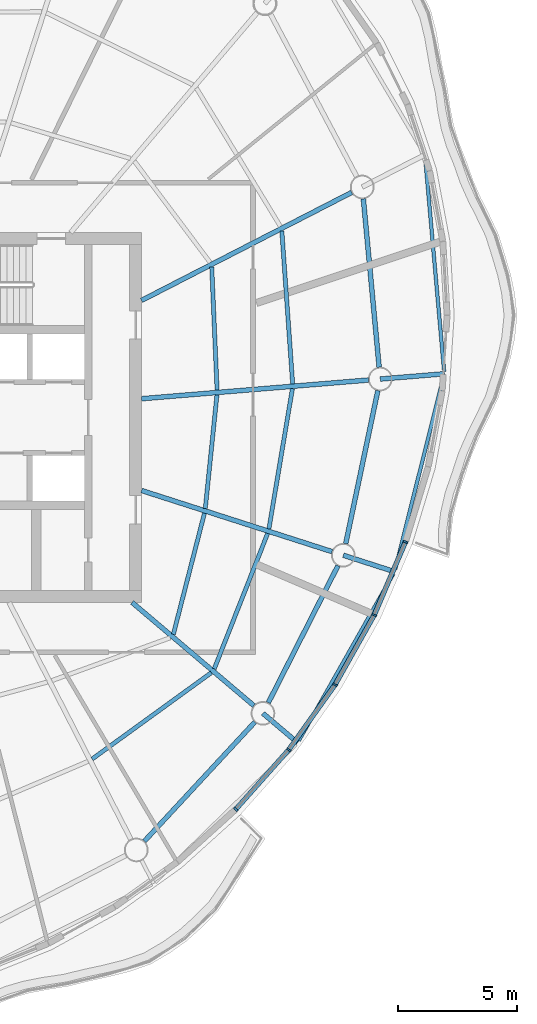
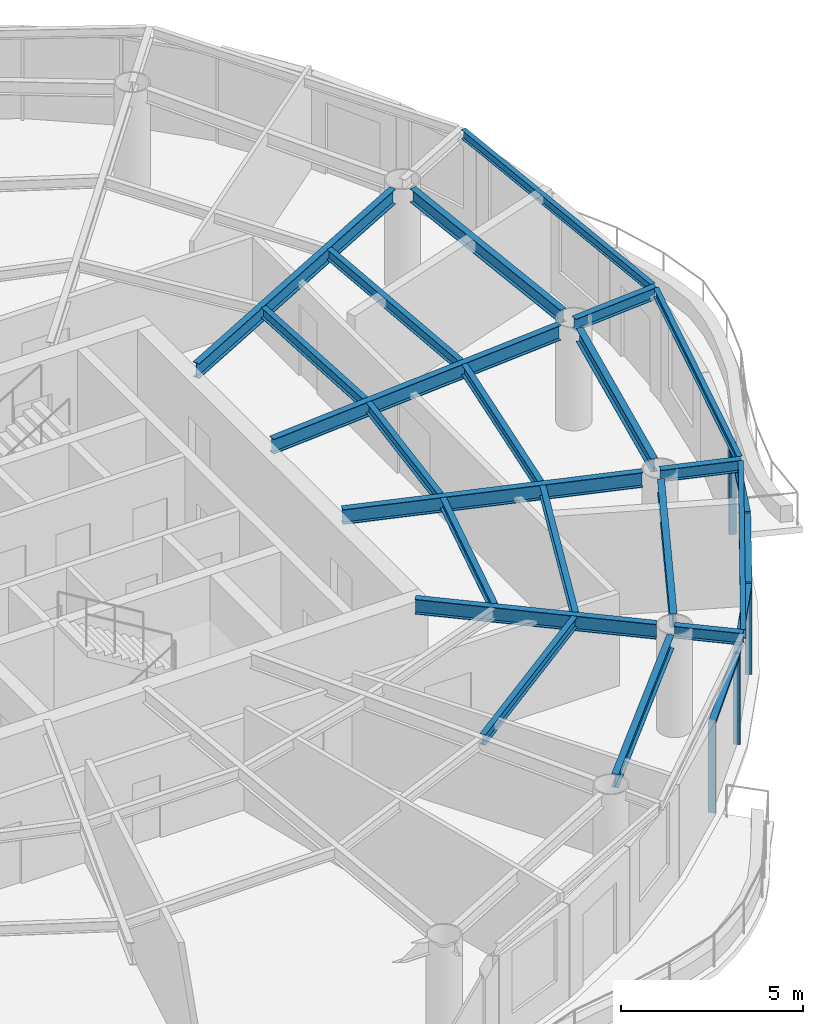
# One storey, part 4 of 14: 21 beams, 9 members, 4 elements without a shape of their own.
"""IFC4 building model written with IfcOpenShell, lengths in metres."""

import ifcopenshell
import ifcopenshell.guid

model = None  # the IFC model being written
_history = None  # IfcOwnerHistory: only IFC2X3 demands one
_inside = {}  # id of a spatial element -> (the spatial element, [elements in it])
_under = {}  # id of a project, library or spatial element -> (it, [spatial elements below it])
_declared = {}  # id of a project -> (the project, [libraries it declares])
_typed = {}  # id of a type object -> (the type object, [elements of that type])
_made_of = {}  # id of a material, layer set ... -> (it, [elements and type objects made of it])


def new_model(schema):
    """Start an empty IFC model of exactly this schema.

    Asked for "IFC4X3", IfcOpenShell would pick the latest addendum, in which some entities
    have other attributes; the version numbers below select the first issue.
    IFC2X3 requires an IfcOwnerHistory on every rooted entity: one is made here for all.
    """
    global model, _history
    if schema == "IFC4X3":
        model = ifcopenshell.file(schema_version=(4, 3, 0, 0))
    else:
        model = ifcopenshell.file(schema=schema)
    _inside.clear()
    _under.clear()
    _declared.clear()
    _typed.clear()
    _made_of.clear()
    _history = None
    if model.schema == "IFC2X3":
        org = make("IfcOrganization", Name="unknown")
        user = make(
            "IfcPersonAndOrganization",
            ThePerson=make("IfcPerson", FamilyName="unknown"),
            TheOrganization=org,
        )
        app = make(
            "IfcApplication",
            ApplicationDeveloper=org,
            Version="unknown",
            ApplicationFullName="unknown",
            ApplicationIdentifier="unknown",
        )
        _history = make(
            "IfcOwnerHistory",
            OwningUser=user,
            OwningApplication=app,
            ChangeAction="ADDED",
            CreationDate=0,
        )
    return model


def make(cls, **values):
    """One entity of the class cls with the attributes given. An attribute that is None is left unset."""
    return model.create_entity(
        cls, **{name: value for name, value in values.items() if value is not None}
    )


def rooted(cls, **values):
    """An entity with a GlobalId (a new one), such as an element, a storey or a relation."""
    return make(cls, GlobalId=ifcopenshell.guid.new(), OwnerHistory=_history, **values)


def si_unit(unit_type, name, prefix=None):
    """IfcSIUnit, for example si_unit("LENGTHUNIT", "METRE", prefix="MILLI")."""
    return make("IfcSIUnit", UnitType=unit_type, Prefix=prefix, Name=name)


def assignment(units):
    """IfcUnitAssignment: the units of a project."""
    return None if units is None else make("IfcUnitAssignment", Units=units)


def point(xyz):
    """IfcCartesianPoint."""
    return None if xyz is None else make("IfcCartesianPoint", Coordinates=xyz)


def direction(xyz):
    """IfcDirection."""
    return None if xyz is None else make("IfcDirection", DirectionRatios=xyz)


def frame(location, z_axis=None, x_axis=None):
    """IfcAxis2Placement3D, a coordinate frame: its origin and axes. An axis left out is left unset."""
    return make(
        "IfcAxis2Placement3D",
        Location=point(location),
        Axis=direction(z_axis),
        RefDirection=direction(x_axis),
    )


def frame_2d(location, x_axis=None):
    """IfcAxis2Placement2D, a coordinate frame in the plane: its origin and x axis."""
    return make(
        "IfcAxis2Placement2D", Location=point(location), RefDirection=direction(x_axis)
    )


def origin():
    """The frame at (0, 0, 0) with its axes left unset."""
    return frame((0.0, 0.0, 0.0))


def origin_2d():
    """The frame at (0, 0) in the plane with its x axis left unset."""
    return frame_2d((0.0, 0.0))


def place(relative_to, where):
    """IfcLocalPlacement: puts the frame where relative to a parent placement (None: the world)."""
    return make(
        "IfcLocalPlacement", PlacementRelTo=relative_to, RelativePlacement=where
    )


def context(
    kind, dimensions, precision=None, world=None, true_north=None, identifier=None
):
    """IfcGeometricRepresentationContext, for example the 3D "Model" context."""
    return make(
        "IfcGeometricRepresentationContext",
        ContextIdentifier=identifier,
        ContextType=kind,
        CoordinateSpaceDimension=dimensions,
        Precision=precision,
        WorldCoordinateSystem=world,
        TrueNorth=true_north,
    )


def subcontext(parent, identifier, kind, view, scale=None):
    """IfcGeometricRepresentationSubContext, for example "Body" below "Model"."""
    return make(
        "IfcGeometricRepresentationSubContext",
        ContextIdentifier=identifier,
        ContextType=kind,
        ParentContext=parent,
        TargetScale=scale,
        TargetView=view,
    )


def project(units=None, contexts=None):
    """IfcProject with its units and contexts."""
    return rooted(
        "IfcProject",
        Name="project",
        RepresentationContexts=contexts,
        UnitsInContext=assignment(units),
    )


def spatial(cls, under=None, at=None, **own):
    """A site, building, storey or space (cls), placed at a placement, below another one or the project."""
    s = rooted(cls, ObjectPlacement=at, **own)
    if under is not None:
        _under.setdefault(under.id(), (under, []))[1].append(s)
    return s


def profile(cls, at=None, kind="AREA", **sizes):
    """A parametric profile (cls). Its sizes go by their IFC names, for example OverallWidth=200.0."""
    return make(cls, ProfileType=kind, Position=at, **sizes)


def rectangle(**sizes):
    """IfcRectangleProfileDef."""
    return profile("IfcRectangleProfileDef", **sizes)


def i_section(**sizes):
    """IfcIShapeProfileDef."""
    return profile("IfcIShapeProfileDef", **sizes)


def extrude(swept, where, along, depth):
    """IfcExtrudedAreaSolid: the profile swept, set in the frame where, extruded along a direction by depth."""
    return make(
        "IfcExtrudedAreaSolid",
        SweptArea=swept,
        Position=where,
        ExtrudedDirection=direction(along),
        Depth=depth,
    )


def shape(context_of_items, identifier, shape_type, items):
    """IfcShapeRepresentation: the items that make up one representation, for example the "Body"."""
    return make(
        "IfcShapeRepresentation",
        ContextOfItems=context_of_items,
        RepresentationIdentifier=identifier,
        RepresentationType=shape_type,
        Items=items,
    )


def material(Name=None, Category=None):
    """IfcMaterial."""
    return make("IfcMaterial", Name=Name, Category=Category)


def material_profile(
    of_material, cross_section, Name=None, Category=None, Priority=None
):
    """IfcMaterialProfile: a cross section and its material."""
    return make(
        "IfcMaterialProfile",
        Name=Name,
        Material=of_material,
        Profile=cross_section,
        Priority=Priority,
        Category=Category,
    )


def profile_set(profiles, Name=None, composite=None):
    """IfcMaterialProfileSet."""
    return make(
        "IfcMaterialProfileSet",
        Name=Name,
        MaterialProfiles=profiles,
        CompositeProfile=composite,
    )


def made_of(thing, what):
    """Note that an element or type object is made of a material, layer set ...; save() writes the relation."""
    if what is not None:
        _made_of.setdefault(what.id(), (what, []))[1].append(thing)
    return thing


def type_object(cls, material=None, **own):
    """A type object (cls), such as IfcWallType, which elements share."""
    return made_of(rooted(cls, **own), material)


def element(
    cls,
    number,
    at=None,
    inside=None,
    cuts=None,
    type_object=None,
    material=None,
    context=None,
    identifier="Body",
    shape_type=None,
    held_by="IfcProductDefinitionShape",
    body=None,
    shapes=None,
    **own,
):
    """One element of the class cls, such as IfcWall. Its Tag is "e" and its number.

    at: its placement. inside: the storey or other place that contains it. cuts: it is an
    opening in that element (IfcRelVoidsElement). A single representation is given by context,
    identifier, shape_type and body (its items); several are given by shapes. held_by: the class
    of the entity that holds the representations. save() writes the other relations.
    """
    e = rooted(cls, Tag="e%d" % number, ObjectPlacement=at, **own)
    if body is not None:
        shapes = [shape(context, identifier, shape_type, body)]
    if shapes is not None:
        e.Representation = make(held_by, Representations=shapes)
    if inside is not None:
        _inside.setdefault(inside.id(), (inside, []))[1].append(e)
    if cuts is not None:
        rooted(
            "IfcRelVoidsElement", RelatingBuildingElement=cuts, RelatedOpeningElement=e
        )
    if type_object is not None:
        _typed.setdefault(type_object.id(), (type_object, []))[1].append(e)
    return made_of(e, material)


def aggregate(whole, parts):
    """IfcRelAggregates: a whole, such as a stair, and the parts it consists of."""
    return rooted("IfcRelAggregates", RelatingObject=whole, RelatedObjects=parts)


def save(model, path):
    """Write the relations noted so far, then the file.

    IfcRelAggregates (storeys below a building ...), IfcRelContainedInSpatialStructure (elements
    in a storey), IfcRelDefinesByType, IfcRelAssociatesMaterial and IfcRelDeclares: one each for
    every whole, place, type object, material and project.
    """
    for whole, parts in _under.values():
        aggregate(whole, parts)
    for where, things in _inside.values():
        rooted(
            "IfcRelContainedInSpatialStructure",
            RelatedElements=things,
            RelatingStructure=where,
        )
    for kind, things in _typed.values():
        rooted("IfcRelDefinesByType", RelatedObjects=things, RelatingType=kind)
    for what, things in _made_of.values():
        rooted("IfcRelAssociatesMaterial", RelatedObjects=things, RelatingMaterial=what)
    for by, libraries in _declared.values():
        rooted("IfcRelDeclares", RelatingContext=by, RelatedDefinitions=libraries)
    model.write(path)


model = new_model("IFC4")

# Units and contexts
model_context = context("Model", 3, precision=1e-05, world=origin(), true_north=direction((0.0, 1.0)))
body_context = subcontext(model_context, "Body", "Model", "MODEL_VIEW")
ifc_project = project(units=[si_unit("LENGTHUNIT", "METRE"), si_unit("AREAUNIT", "SQUARE_METRE"), si_unit("VOLUMEUNIT", "CUBIC_METRE"), si_unit("PLANEANGLEUNIT", "RADIAN"), si_unit("MASSUNIT", "GRAM", prefix="KILO")], contexts=[model_context])

# Site, building, storey
site_placement = place(None, origin())
site = spatial("IfcSite", under=ifc_project, at=site_placement, CompositionType="ELEMENT")
building_placement = place(site_placement, origin())
building = spatial("IfcBuilding", under=site, at=building_placement, Name="Vermilion Reach Broadcast Tower", CompositionType="ELEMENT")
storey_placement = place(building_placement, frame((0.0, 0.0, 264.89990234375)))
storey = spatial("IfcBuildingStorey", under=building, at=storey_placement, Name="L65", CompositionType="ELEMENT", Elevation=264.89990234375)

# Beams
ifc_material_1 = material(Name="Steel S355J2", Category="steel")
ifc_material_profile_1 = material_profile(ifc_material_1, i_section(OverallWidth=0.14990234375, OverallDepth=0.300048828125, WebThickness=0.006591796875, FlangeThickness=0.009033203125, at=origin_2d()), Name="S355J2 HN 300x150x6.5x9")
ifc_profile_set_1 = profile_set([ifc_material_profile_1], Name="Steel S355J2")
beam_type_1 = type_object("IfcBeamType", Name="EB5 HN 300x150x6.5x9", PredefinedType="BEAM", material=ifc_profile_set_1)
beam_1_placement = place(storey_placement, frame((10.2314453125, -13.62939453125, 3.300048828125), z_axis=(0.49302475796, 0.870015280348, 0.0), x_axis=(-0.870015280348, 0.49302475796, 0.0)))
element("IfcBeam", 1, at=beam_1_placement, inside=storey, type_object=beam_type_1, Name="Edge beam EB5-12", PredefinedType="BEAM", context=body_context, shape_type="SweptSolid", body=[
    extrude(i_section(OverallWidth=0.14990234375, OverallDepth=0.300048828125, WebThickness=0.006591796875, FlangeThickness=0.009033203125, at=origin_2d()), origin(), (0.0, 0.0, 1.0), 8.087890625),
])
beam_2_placement = place(storey_placement, frame((14.293701171875, -6.40673828125, 3.300048828125), z_axis=(0.243855135103, 0.969811668874, 0.0), x_axis=(-0.969811668874, 0.243855135103, 0.0)))
element("IfcBeam", 2, at=beam_2_placement, inside=storey, type_object=beam_type_1, Name="Edge beam EB5-13", PredefinedType="BEAM", context=body_context, shape_type="SweptSolid", body=[
    extrude(i_section(OverallWidth=0.14990234375, OverallDepth=0.300048828125, WebThickness=0.006591796875, FlangeThickness=0.009033203125, at=origin_2d()), origin(), (0.0, 0.0, 1.0), 8.40087890625),
])
beam_3_placement = place(storey_placement, frame((16.359375, 1.942626953125, 3.300048828125), z_axis=(-0.088284450679, 0.996095304561, 0.0), x_axis=(-0.996095304561, -0.088284450679, 0.0)))
element("IfcBeam", 3, at=beam_3_placement, inside=storey, type_object=beam_type_1, Name="Edge beam EB5-14", PredefinedType="BEAM", context=body_context, shape_type="SweptSolid", body=[
    extrude(i_section(OverallWidth=0.14990234375, OverallDepth=0.300048828125, WebThickness=0.006591796875, FlangeThickness=0.009033203125, at=origin_2d()), origin(), (0.0, 0.0, 1.0), 9.06494140625),
])
ifc_material_2 = material(Name="Steel S355J2", Category="steel")
ifc_material_profile_2 = material_profile(ifc_material_2, i_section(OverallWidth=0.199951171875, OverallDepth=0.5, WebThickness=0.010009765625, FlangeThickness=0.01611328125, at=origin_2d()), Name="S355J2 HN 500x200x10x16")
ifc_profile_set_2 = profile_set([ifc_material_profile_2], Name="Steel S355J2")
beam_type_2 = type_object("IfcBeamType", Name="G5 HN 500x200x10x16", PredefinedType="BEAM", material=ifc_profile_set_2)
beam_4_placement = place(storey_placement, frame((3.20068359375, -7.800048828125, 3.2001953125), z_axis=(0.762793125612, -0.646642596431, 0.0), x_axis=(0.646642596431, 0.762793125612, 0.0)))
element("IfcBeam", 4, at=beam_4_placement, inside=storey, type_object=beam_type_2, Name="Girder G5-12", PredefinedType="BEAM", context=body_context, shape_type="SweptSolid", body=[
    extrude(i_section(OverallWidth=0.199951171875, OverallDepth=0.5, WebThickness=0.010009765625, FlangeThickness=0.01611328125, at=origin_2d()), origin(), (0.0, 0.0, 1.0), 6.732421875),
])
beam_5_placement = place(storey_placement, frame((3.60009765625, -3.080322265625, 3.2001953125), z_axis=(0.952178453449, -0.305542456604, 0.0), x_axis=(0.305542456604, 0.952178453449, 0.0)))
element("IfcBeam", 5, at=beam_5_placement, inside=storey, type_object=beam_type_2, Name="Girder G5-13", PredefinedType="BEAM", context=body_context, shape_type="SweptSolid", body=[
    extrude(i_section(OverallWidth=0.199951171875, OverallDepth=0.5, WebThickness=0.010009765625, FlangeThickness=0.01611328125, at=origin_2d()), origin(), (0.0, 0.0, 1.0), 8.43310546875),
])
beam_6_placement = place(storey_placement, frame((3.60009765625, 0.791015625, 3.2001953125), z_axis=(0.996624410075, 0.082096195058, 0.0), x_axis=(-0.082096195058, 0.996624410075, 0.0)))
element("IfcBeam", 6, at=beam_6_placement, inside=storey, type_object=beam_type_2, Name="Girder G5-14", PredefinedType="BEAM", context=body_context, shape_type="SweptSolid", body=[
    extrude(i_section(OverallWidth=0.199951171875, OverallDepth=0.5, WebThickness=0.010009765625, FlangeThickness=0.01611328125, at=origin_2d()), origin(), (0.0, 0.0, 1.0), 9.599609375),
])
beam_7_placement = place(storey_placement, frame((3.60009765625, 4.935791015625, 3.2001953125), z_axis=(0.889332502449, 0.457261085254, 0.0), x_axis=(-0.457261085254, 0.889332502449, 0.0)))
element("IfcBeam", 7, at=beam_7_placement, inside=storey, type_object=beam_type_2, Name="Girder G5-15", PredefinedType="BEAM", context=body_context, shape_type="SweptSolid", body=[
    extrude(i_section(OverallWidth=0.199951171875, OverallDepth=0.5, WebThickness=0.010009765625, FlangeThickness=0.01611328125, at=origin_2d()), origin(), (0.0, 0.0, 1.0), 9.96337890625),
])
ifc_material_3 = material(Name="Steel S355J2", Category="steel")
ifc_material_profile_3 = material_profile(ifc_material_3, i_section(OverallWidth=0.199951171875, OverallDepth=0.39990234375, WebThickness=0.008056640625, FlangeThickness=0.012939453125, at=origin_2d()), Name="S355J2 HN 400x200x8x13")
ifc_profile_set_3 = profile_set([ifc_material_profile_3], Name="Steel S355J2")
beam_type_3 = type_object("IfcBeamType", Name="GC5 HN 400x200x8x13", PredefinedType="BEAM", material=ifc_profile_set_3)
beam_8_placement = place(storey_placement, frame((8.717529296875, -12.476806640625, 3.25), z_axis=(0.762739227349, -0.646706170578, 0.0), x_axis=(0.646706170578, 0.762739227349, 0.0)))
element("IfcBeam", 8, at=beam_8_placement, inside=storey, type_object=beam_type_3, Name="Cantilever girder GC5-12", PredefinedType="BEAM", context=body_context, shape_type="SweptSolid", body=[
    extrude(i_section(OverallWidth=0.199951171875, OverallDepth=0.39990234375, WebThickness=0.008056640625, FlangeThickness=0.012939453125, at=origin_2d()), origin(), (0.0, 0.0, 1.0), 1.9189453125),
])
beam_9_placement = place(storey_placement, frame((12.10595703125, -5.809814453125, 3.25), z_axis=(0.952190547284, -0.305504765368, 0.0), x_axis=(0.305504765368, 0.952190547284, 0.0)))
element("IfcBeam", 9, at=beam_9_placement, inside=storey, type_object=beam_type_3, Name="Cantilever girder GC5-13", PredefinedType="BEAM", context=body_context, shape_type="SweptSolid", body=[
    extrude(i_section(OverallWidth=0.199951171875, OverallDepth=0.39990234375, WebThickness=0.008056640625, FlangeThickness=0.012939453125, at=origin_2d()), origin(), (0.0, 0.0, 1.0), 2.27197265625),
])
beam_10_placement = place(storey_placement, frame((13.665771484375, 1.620361328125, 3.25), z_axis=(0.996622941337, 0.082114023173, 0.0), x_axis=(-0.082114023173, 0.996622941337, 0.0)))
element("IfcBeam", 10, at=beam_10_placement, inside=storey, type_object=beam_type_3, Name="Cantilever girder GC5-14", PredefinedType="BEAM", context=body_context, shape_type="SweptSolid", body=[
    extrude(i_section(OverallWidth=0.199951171875, OverallDepth=0.39990234375, WebThickness=0.008056640625, FlangeThickness=0.012939453125, at=origin_2d()), origin(), (0.0, 0.0, 1.0), 2.711669921875),
])
ifc_material_4 = material(Name="Steel S355J2", Category="steel")
ifc_material_profile_4 = material_profile(ifc_material_4, i_section(OverallWidth=0.199951171875, OverallDepth=0.449951171875, WebThickness=0.009033203125, FlangeThickness=0.013916015625, at=origin_2d()), Name="S355J2 HN 450x200x9x14")
ifc_profile_set_4 = profile_set([ifc_material_profile_4], Name="Steel S355J2")
beam_type_4 = type_object("IfcBeamType", Name="RB5 HN 450x200x9x14", PredefinedType="BEAM", material=ifc_profile_set_4)
beam_11_placement = place(storey_placement, frame((3.716796875, -17.87109375, 3.22509765625), z_axis=(0.679837550075, 0.733362738014, 0.0), x_axis=(-0.733362738014, 0.679837550075, 0.0)))
element("IfcBeam", 11, at=beam_11_placement, inside=storey, type_object=beam_type_4, Name="Ring beam RB5-11", PredefinedType="BEAM", context=body_context, shape_type="SweptSolid", body=[
    extrude(i_section(OverallWidth=0.199951171875, OverallDepth=0.449951171875, WebThickness=0.009033203125, FlangeThickness=0.013916015625, at=origin_2d()), origin(), (0.0, 0.0, 1.0), 6.85546875),
])
beam_12_placement = place(storey_placement, frame((8.944091796875, -12.03125, 3.22509765625), z_axis=(0.453052302855, 0.891483937532, 0.0), x_axis=(-0.891483937532, 0.453052302855, 0.0)))
element("IfcBeam", 12, at=beam_12_placement, inside=storey, type_object=beam_type_4, Name="Ring beam RB5-12", PredefinedType="BEAM", context=body_context, shape_type="SweptSolid", body=[
    extrude(i_section(OverallWidth=0.199951171875, OverallDepth=0.449951171875, WebThickness=0.009033203125, FlangeThickness=0.013916015625, at=origin_2d()), origin(), (0.0, 0.0, 1.0), 6.47900390625),
])
beam_13_placement = place(storey_placement, frame((12.208740234375, -5.3203125, 3.22509765625), z_axis=(0.205444869285, 0.978668690459, 0.0), x_axis=(-0.978668690459, 0.205444869285, 0.0)))
element("IfcBeam", 13, at=beam_13_placement, inside=storey, type_object=beam_type_4, Name="Ring beam RB5-13", PredefinedType="BEAM", context=body_context, shape_type="SweptSolid", body=[
    extrude(i_section(OverallWidth=0.199951171875, OverallDepth=0.449951171875, WebThickness=0.009033203125, FlangeThickness=0.013916015625, at=origin_2d()), origin(), (0.0, 0.0, 1.0), 6.591796875),
])
beam_14_placement = place(storey_placement, frame((13.618896484375, 2.1181640625, 3.22509765625), z_axis=(-0.093441399272, 0.995624781181, 0.0), x_axis=(-0.995624781181, -0.093441399272, 0.0)))
element("IfcBeam", 14, at=beam_14_placement, inside=storey, type_object=beam_type_4, Name="Ring beam RB5-14", PredefinedType="BEAM", context=body_context, shape_type="SweptSolid", body=[
    extrude(i_section(OverallWidth=0.199951171875, OverallDepth=0.449951171875, WebThickness=0.009033203125, FlangeThickness=0.013916015625, at=origin_2d()), origin(), (0.0, 0.0, 1.0), 7.135498046875),
])
ifc_material_5 = material(Name="Steel S355J2", Category="steel")
ifc_material_profile_5 = material_profile(ifc_material_5, i_section(OverallWidth=0.175048828125, OverallDepth=0.35009765625, WebThickness=0.007080078125, FlangeThickness=0.010986328125, at=origin_2d()), Name="S355J2 HN 350x175x7x11")
ifc_profile_set_5 = profile_set([ifc_material_profile_5], Name="Steel S355J2")
beam_type_5 = type_object("IfcBeamType", Name="SB5 HN 350x175x7x11", PredefinedType="BEAM", material=ifc_profile_set_5)
beam_15_placement = place(storey_placement, frame((1.517578125, -14.402587890625, 3.275146484375), z_axis=(0.809771251518, 0.586745703192, 0.0), x_axis=(-0.586745703192, 0.809771251518, 0.0)))
element("IfcBeam", 15, at=beam_15_placement, inside=storey, type_object=beam_type_5, Name="Secondary beam SB5-11-2", PredefinedType="BEAM", context=body_context, shape_type="SweptSolid", body=[
    extrude(i_section(OverallWidth=0.175048828125, OverallDepth=0.35009765625, WebThickness=0.007080078125, FlangeThickness=0.010986328125, at=origin_2d()), origin(), (0.0, 0.0, 1.0), 6.20361328125),
])
beam_16_placement = place(storey_placement, frame((4.940185546875, -9.1435546875, 3.275146484375), z_axis=(0.248729575729, 0.968572969971, 0.0), x_axis=(-0.968572969971, 0.248729575729, 0.0)))
element("IfcBeam", 16, at=beam_16_placement, inside=storey, type_object=beam_type_5, Name="Secondary beam SB5-12-1", PredefinedType="BEAM", context=body_context, shape_type="SweptSolid", body=[
    extrude(i_section(OverallWidth=0.175048828125, OverallDepth=0.35009765625, WebThickness=0.007080078125, FlangeThickness=0.010986328125, at=origin_2d()), origin(), (0.0, 0.0, 1.0), 5.27294921875),
])
beam_17_placement = place(storey_placement, frame((6.6630859375, -10.604248046875, 3.275146484375), z_axis=(0.366931189603, 0.930248086317, 0.0), x_axis=(-0.930248086317, 0.366931189603, 0.0)))
element("IfcBeam", 17, at=beam_17_placement, inside=storey, type_object=beam_type_5, Name="Secondary beam SB5-12-2", PredefinedType="BEAM", context=body_context, shape_type="SweptSolid", body=[
    extrude(i_section(OverallWidth=0.175048828125, OverallDepth=0.35009765625, WebThickness=0.007080078125, FlangeThickness=0.010986328125, at=origin_2d()), origin(), (0.0, 0.0, 1.0), 6.141357421875),
])
beam_18_placement = place(storey_placement, frame((6.287109375, -3.837646484375, 3.275146484375), z_axis=(0.102113775264, 0.994772726255, 0.0), x_axis=(-0.994772726255, 0.102113775264, 0.0)))
element("IfcBeam", 18, at=beam_18_placement, inside=storey, type_object=beam_type_5, Name="Secondary beam SB5-13-1", PredefinedType="BEAM", context=body_context, shape_type="SweptSolid", body=[
    extrude(i_section(OverallWidth=0.175048828125, OverallDepth=0.35009765625, WebThickness=0.007080078125, FlangeThickness=0.010986328125, at=origin_2d()), origin(), (0.0, 0.0, 1.0), 4.815185546875),
])
beam_19_placement = place(storey_placement, frame((8.969970703125, -4.698486328125, 3.275146484375), z_axis=(0.16532337011, 0.986239414795, 0.0), x_axis=(-0.986239414795, 0.16532337011, 0.0)))
element("IfcBeam", 19, at=beam_19_placement, inside=storey, type_object=beam_type_5, Name="Secondary beam SB5-13-2", PredefinedType="BEAM", context=body_context, shape_type="SweptSolid", body=[
    extrude(i_section(OverallWidth=0.175048828125, OverallDepth=0.35009765625, WebThickness=0.007080078125, FlangeThickness=0.010986328125, at=origin_2d()), origin(), (0.0, 0.0, 1.0), 5.99560546875),
])
beam_20_placement = place(storey_placement, frame((6.78466796875, 1.153564453125, 3.275146484375), z_axis=(-0.043557530017, 0.999050920413, 0.0), x_axis=(-0.999050920413, -0.043557530017, 0.0)))
element("IfcBeam", 20, at=beam_20_placement, inside=storey, type_object=beam_type_5, Name="Secondary beam SB5-14-1", PredefinedType="BEAM", context=body_context, shape_type="SweptSolid", body=[
    extrude(i_section(OverallWidth=0.175048828125, OverallDepth=0.35009765625, WebThickness=0.007080078125, FlangeThickness=0.010986328125, at=origin_2d()), origin(), (0.0, 0.0, 1.0), 5.19580078125),
])
beam_21_placement = place(storey_placement, frame((9.97119140625, 1.416259765625, 3.275146484375), z_axis=(-0.070586780458, 0.997505642302, 0.0), x_axis=(-0.997505642302, -0.070586780458, 0.0)))
element("IfcBeam", 21, at=beam_21_placement, inside=storey, type_object=beam_type_5, Name="Secondary beam SB5-14-2", PredefinedType="BEAM", context=body_context, shape_type="SweptSolid", body=[
    extrude(i_section(OverallWidth=0.175048828125, OverallDepth=0.35009765625, WebThickness=0.007080078125, FlangeThickness=0.010986328125, at=origin_2d()), origin(), (0.0, 0.0, 1.0), 6.46435546875),
])

# Curtain wall, member
ifc_material_6 = material(Name="Low-e laminated clear glass in aluminium frame", Category="aluminium")
curtain_wall_type = type_object("IfcCurtainWallType", Name="Slot curtain wall", PredefinedType="NOTDEFINED", material=ifc_material_6)
placement = place(storey_placement, origin())
curtain_wall_1 = element("IfcCurtainWall", 22, at=placement, inside=storey, type_object=curtain_wall_type, Name="Slot curtain wall L65 34", PredefinedType="NOTDEFINED")
ifc_material_7 = material(Name="Anodised aluminium", Category="aluminium")
ifc_material_profile_6 = material_profile(ifc_material_7, rectangle(XDim=0.199951171875, YDim=0.080078125, at=origin_2d()), Name="Slot mullion 80 x 200")
ifc_profile_set_6 = profile_set([ifc_material_profile_6], Name="Anodised aluminium")
member_type_1 = type_object("IfcMemberType", Name="Slot mullion 80 x 200", PredefinedType="MULLION", material=ifc_profile_set_6)
member_1_placement = place(storey_placement, frame((7.57568359375, -16.519775390625, 0.0), z_axis=(0.0, 0.0, 1.0), x_axis=(-0.709558681492, 0.704646349256, 0.0)))
member_1 = element("IfcMember", 23, at=member_1_placement, type_object=member_type_1, Name="Slot mullion L65 34", PredefinedType="MULLION", context=body_context, shape_type="SweptSolid", body=[
    extrude(rectangle(XDim=0.199951171875, YDim=0.080078125, at=origin_2d()), origin(), (0.0, 0.0, 1.0), 3.050048828125),
])

curtain_wall_2 = element("IfcCurtainWall", 24, at=placement, inside=storey, type_object=curtain_wall_type, Name="Slot curtain wall L65 35", PredefinedType="NOTDEFINED")
member_2_placement = place(storey_placement, frame((9.80322265625, -14.015625, 0.0), z_axis=(0.0, 0.0, 1.0), x_axis=(-0.781891376588, 0.623414689606, 0.0)))
member_2 = element("IfcMember", 25, at=member_2_placement, type_object=member_type_1, Name="Slot mullion L65 35", PredefinedType="MULLION", context=body_context, shape_type="SweptSolid", body=[
    extrude(rectangle(XDim=0.199951171875, YDim=0.080078125, at=origin_2d()), origin(), (0.0, 0.0, 1.0), 3.050048828125),
])

curtain_wall_3 = element("IfcCurtainWall", 26, at=placement, inside=storey, type_object=curtain_wall_type, Name="Slot curtain wall L65 36", PredefinedType="NOTDEFINED")
member_3_placement = place(storey_placement, frame((11.759521484375, -11.2705078125, 0.0), z_axis=(0.0, 0.0, 1.0), x_axis=(-0.844327928532, 0.535826790204, 0.0)))
member_3 = element("IfcMember", 27, at=member_3_placement, type_object=member_type_1, Name="Slot mullion L65 36", PredefinedType="MULLION", context=body_context, shape_type="SweptSolid", body=[
    extrude(rectangle(XDim=0.199951171875, YDim=0.080078125, at=origin_2d()), origin(), (0.0, 0.0, 1.0), 3.050048828125),
])

# Curtain wall, members
curtain_wall_4 = element("IfcCurtainWall", 28, at=placement, inside=storey, type_object=curtain_wall_type, Name="Slot curtain wall L65 37", PredefinedType="NOTDEFINED")
member_4_placement = place(storey_placement, frame((13.410400390625, -8.33154296875, 0.0), z_axis=(0.0, 0.0, 1.0), x_axis=(-0.896995647795, 0.442039373628, 0.0)))
member_4 = element("IfcMember", 29, at=member_4_placement, type_object=member_type_1, Name="Slot mullion L65 37", PredefinedType="MULLION", context=body_context, shape_type="SweptSolid", body=[
    extrude(rectangle(XDim=0.199951171875, YDim=0.080078125, at=origin_2d()), origin(), (0.0, 0.0, 1.0), 3.050048828125),
])
member_5_placement = place(storey_placement, frame((14.727783203125, -5.249755859375, 0.0), z_axis=(0.0, 0.0, 1.0), x_axis=(-0.939698523763, 0.342003924593, 0.0)))
member_5 = element("IfcMember", 30, at=member_5_placement, type_object=member_type_1, Name="Slot mullion L65 38", PredefinedType="MULLION", context=body_context, shape_type="SweptSolid", body=[
    extrude(rectangle(XDim=0.199951171875, YDim=0.080078125, at=origin_2d()), origin(), (0.0, 0.0, 1.0), 3.050048828125),
])

# Member
ifc_material_8 = material(Name="Anodised aluminium", Category="aluminium")
ifc_material_profile_7 = material_profile(ifc_material_8, rectangle(XDim=0.199951171875, YDim=0.10009765625, at=origin_2d()), Name="Slot transom 200 x 100")
ifc_profile_set_7 = profile_set([ifc_material_profile_7], Name="Anodised aluminium")
member_type_2 = type_object("IfcMemberType", Name="Slot transom 200 x 100", PredefinedType="USERDEFINED", material=ifc_profile_set_7)
member_6_placement = place(storey_placement, frame((7.602294921875, -16.48974609375, 3.0), z_axis=(0.66466951568, 0.74713749399, 0.0), x_axis=(-0.74713749399, 0.66466951568, 0.0)))
member_6 = element("IfcMember", 31, at=member_6_placement, type_object=member_type_2, Name="Slot transom L65 34.1", ObjectType="TRANSOM", PredefinedType="USERDEFINED", context=body_context, shape_type="SweptSolid", body=[
    extrude(rectangle(XDim=0.199951171875, YDim=0.10009765625, at=origin_2d()), origin(), (0.0, 0.0, 1.0), 3.271240234375),
])

aggregate(curtain_wall_1, [member_1, member_6])

member_7_placement = place(storey_placement, frame((9.826416015625, -13.983154296875, 3.0), z_axis=(0.580367663767, 0.814354575632, 0.0), x_axis=(-0.814354575632, 0.580367663767, 0.0)))
member_7 = element("IfcMember", 32, at=member_7_placement, type_object=member_type_2, Name="Slot transom L65 35.1", ObjectType="TRANSOM", PredefinedType="USERDEFINED", context=body_context, shape_type="SweptSolid", body=[
    extrude(rectangle(XDim=0.199951171875, YDim=0.10009765625, at=origin_2d()), origin(), (0.0, 0.0, 1.0), 3.290771484375),
])

aggregate(curtain_wall_2, [member_2, member_7])

member_8_placement = place(storey_placement, frame((11.779052734375, -11.235595703125, 3.0), z_axis=(0.489782142531, 0.871844855956, 0.0), x_axis=(-0.871844855956, 0.489782142531, 0.0)))
member_8 = element("IfcMember", 33, at=member_8_placement, type_object=member_type_2, Name="Slot transom L65 36.1", ObjectType="TRANSOM", PredefinedType="USERDEFINED", context=body_context, shape_type="SweptSolid", body=[
    extrude(rectangle(XDim=0.199951171875, YDim=0.10009765625, at=origin_2d()), origin(), (0.0, 0.0, 1.0), 3.290771484375),
])

aggregate(curtain_wall_3, [member_3, member_8])

member_9_placement = place(storey_placement, frame((13.42626953125, -8.294921875, 3.0), z_axis=(0.392982404562, 0.919545991077, 0.0), x_axis=(-0.919545991077, 0.392982404562, 0.0)))
member_9 = element("IfcMember", 34, at=member_9_placement, type_object=member_type_2, Name="Slot transom L65 37.1", ObjectType="TRANSOM", PredefinedType="USERDEFINED", context=body_context, shape_type="SweptSolid", body=[
    extrude(rectangle(XDim=0.199951171875, YDim=0.10009765625, at=origin_2d()), origin(), (0.0, 0.0, 1.0), 3.271484375),
])

aggregate(curtain_wall_4, [member_4, member_5, member_9])

save(model, "model.ifc")
